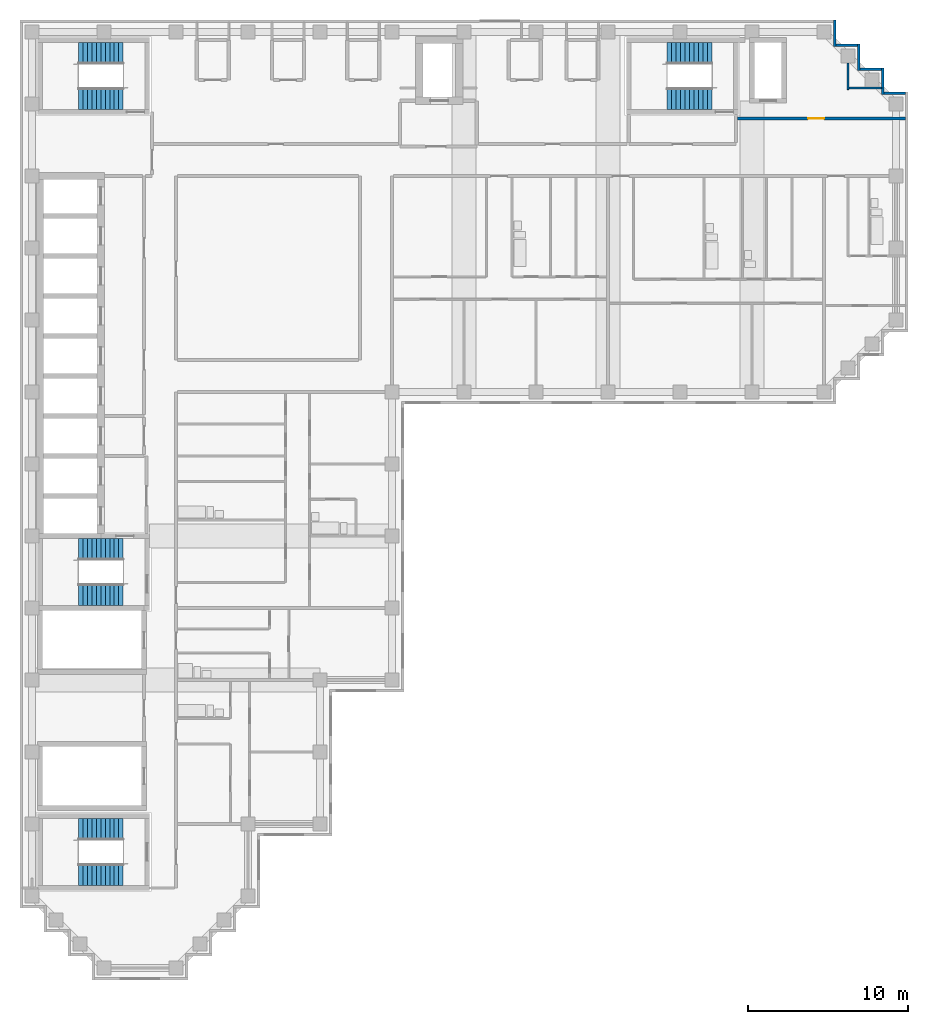
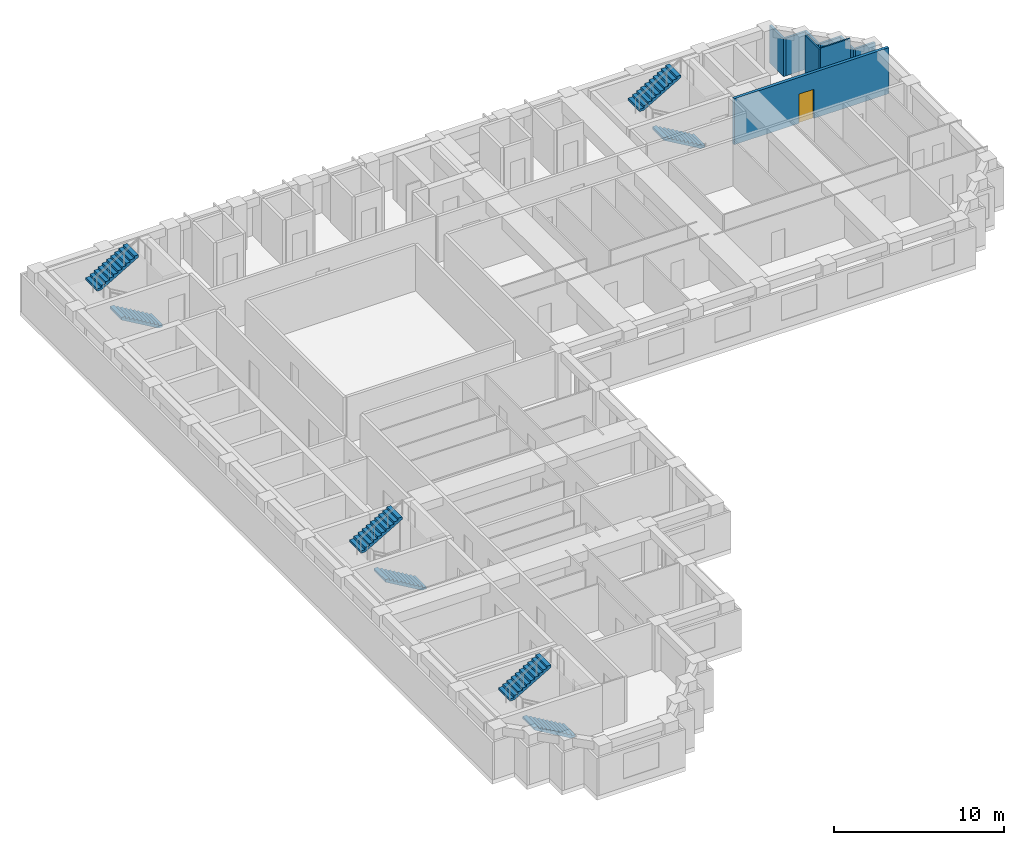
# One storey, part 8 of 10: 9 walls, 8 stair flights, 1 door, 1 opening, 4 elements without a shape of their own.
"""IFC4 building model written with IfcOpenShell, lengths in metres."""

from ifc_helpers import new_model, si_unit, direction, frame, frame_2d, origin, place, context, subcontext, project, spatial, polyline, rectangle, outline, extrude, material, layer, layer_set, type_object, element, fill, aggregate, save


model = new_model("IFC4")

# Units and contexts
model_context = context("Model", 3, precision=1e-05, world=origin(), true_north=direction((0.0, 1.0)))
body_context = subcontext(model_context, "Body", "Model", "MODEL_VIEW")
ifc_project = project(units=[si_unit("LENGTHUNIT", "METRE"), si_unit("AREAUNIT", "SQUARE_METRE"), si_unit("VOLUMEUNIT", "CUBIC_METRE"), si_unit("PLANEANGLEUNIT", "RADIAN"), si_unit("MASSUNIT", "GRAM", prefix="KILO")], contexts=[model_context])

# Site, building, storey
site_placement = place(None, origin())
site = spatial("IfcSite", under=ifc_project, at=site_placement, CompositionType="ELEMENT")
building_placement = place(site_placement, origin())
building = spatial("IfcBuilding", under=site, at=building_placement, Name="Firuza Court", CompositionType="ELEMENT")
storey_placement = place(building_placement, frame((0.0, 0.0, 189.800048828125)))
storey = spatial("IfcBuildingStorey", under=building, at=storey_placement, Name="L48", CompositionType="ELEMENT", Elevation=189.800048828125)

# Wall, opening, door
ifc_material_1 = material(Name="Blockwork, plastered both sides", Category="masonry")
ifc_layer_1 = layer(ifc_material_1, 0.199951171875)
ifc_layer_set_1 = layer_set([ifc_layer_1], Name="Blockwork, plastered both sides")
wall_type_1 = type_object("IfcWallType", Name="Corridor wall 200", PredefinedType="PARTITIONING", material=ifc_layer_set_1)
wall_1_placement = place(storey_placement, frame((44.10009765625, 53.10009765625, 0.0), z_axis=(0.0, 0.0, 1.0), x_axis=(1.0, 0.0, 0.0)))
wall_1 = element("IfcWall", 1, at=wall_1_placement, inside=storey, type_object=wall_type_1, Name="Corridor wall 200 L48", PredefinedType="PARTITIONING", context=body_context, shape_type="SweptSolid", body=[
    extrude(rectangle(XDim=10.5, YDim=0.199951171875, at=frame_2d((5.25, 0.0))), origin(), (0.0, 0.0, 1.0), 3.300048828125),
])
opening_placement = place(wall_1_placement, frame((4.39990234375, 0.0, 0.0)))
opening = element("IfcOpeningElement", 2, at=opening_placement, cuts=wall_1, Name="Opening D48060", PredefinedType="OPENING", context=body_context, shape_type="SweptSolid", body=[
    extrude(rectangle(XDim=1.0, YDim=2.10009765625, at=frame_2d((0.5, 1.050048828125))), frame((0.0, 0.11181640625, 0.0), z_axis=(0.0, -1.0, 0.0), x_axis=(1.0, 0.0, 0.0)), (0.0, 0.0, 1.0), 0.223876953125),
])
ifc_material_2 = material(Name="Timber door leaf in hardwood frame", Category="wood")
door_type = type_object("IfcDoorType", Name="Store door 1000", OperationType="SINGLE_SWING_LEFT", PredefinedType="DOOR", material=ifc_material_2)
door_placement = place(opening_placement, origin())
door = element("IfcDoor", 3, at=door_placement, inside=storey, type_object=door_type, Name="Valet store door", OperationType="SINGLE_SWING_LEFT", OverallHeight=2.10009765625, OverallWidth=1.0, PredefinedType="DOOR", context=body_context, shape_type="SweptSolid", body=[
    extrude(rectangle(XDim=1.0, YDim=2.10009765625, at=frame_2d((0.5, 1.050048828125))), frame((0.0, 0.02490234375, 0.0), z_axis=(0.0, -1.0, 0.0), x_axis=(1.0, 0.0, 0.0)), (0.0, 0.0, 1.0), 0.050048828125),
])
fill(opening, door)

# Walls
ifc_material_3 = material(Name="Timber stud partition, plasterboard both sides", Category="wood")
ifc_layer_2 = layer(ifc_material_3, 0.10009765625)
ifc_layer_set_2 = layer_set([ifc_layer_2], Name="Timber stud partition, plasterboard both sides")
wall_type_2 = type_object("IfcWallType", Name="Partition wall 100", PredefinedType="PARTITIONING", material=ifc_layer_set_2)
wall_2_placement = place(storey_placement, frame((51.0, 54.89990234375, 0.0), z_axis=(0.0, 0.0, 1.0), x_axis=(0.0, 1.0, 0.0)))
element("IfcWall", 4, at=wall_2_placement, inside=storey, type_object=wall_type_2, Name="Partition wall 100 L48", PredefinedType="PARTITIONING", context=body_context, shape_type="SweptSolid", body=[
    extrude(rectangle(XDim=1.650146484375, YDim=0.10009765625, at=frame_2d((0.8251953125, 0.0))), origin(), (0.0, 0.0, 1.0), 3.300048828125),
])
wall_3_placement = place(storey_placement, frame((51.050048828125, 55.0, 0.0), z_axis=(0.0, 0.0, 1.0), x_axis=(1.0, 0.0, 0.0)))
element("IfcWall", 5, at=wall_3_placement, inside=storey, type_object=wall_type_2, Name="Partition wall 100 L48", PredefinedType="PARTITIONING", context=body_context, shape_type="SweptSolid", body=[
    extrude(rectangle(XDim=2.050048828125, YDim=0.10009765625, at=frame_2d((1.02490234375, 0.0))), origin(), (0.0, 0.0, 1.0), 3.300048828125),
])
ifc_material_4 = material(Name="Ceramic tile", Category="ceramic")
ifc_layer_3 = layer(ifc_material_4, 0.02001953125)
ifc_material_5 = material(Name="Mineral wool insulation", Category="insulation")
ifc_layer_4 = layer(ifc_material_5, 0.050048828125)
ifc_material_6 = material(Name="Concrete C40/50 precast", Category="concrete")
ifc_layer_5 = layer(ifc_material_6, 0.080078125)
ifc_layer_set_3 = layer_set([ifc_layer_3, ifc_layer_4, ifc_layer_5], Name="Concrete C40/50 precast")
wall_type_3 = type_object("IfcWallType", Name="Precast cladding wall with turquoise TILE PANEL face 150", PredefinedType="STANDARD", material=ifc_layer_set_3)
wall_4_placement = place(storey_placement, frame((54.60009765625, 54.675048828125, 0.0), z_axis=(0.0, 0.0, 1.0), x_axis=(-1.0, 0.0, 0.0)))
element("IfcWall", 6, at=wall_4_placement, inside=storey, type_object=wall_type_3, Name="Facade wall L48 N", PredefinedType="STANDARD", context=body_context, shape_type="SweptSolid", body=[
    extrude(rectangle(XDim=1.35009765625, YDim=0.14990234375, at=frame_2d((0.675048828125, 0.0))), origin(), (0.0, 0.0, 1.0), 2.699951171875),
])
wall_5_placement = place(storey_placement, frame((53.175048828125, 54.60009765625, 0.0), z_axis=(0.0, 0.0, 1.0), x_axis=(0.0, 1.0, 0.0)))
element("IfcWall", 7, at=wall_5_placement, inside=storey, type_object=wall_type_3, Name="Facade wall L48 E", PredefinedType="STANDARD", context=body_context, shape_type="SweptSolid", body=[
    extrude(rectangle(XDim=1.64990234375, YDim=0.14990234375, at=frame_2d((0.824951171875, 0.0))), origin(), (0.0, 0.0, 1.0), 2.699951171875),
])
wall_6_placement = place(storey_placement, frame((53.10009765625, 56.175048828125, 0.0), z_axis=(0.0, 0.0, 1.0), x_axis=(-1.0, 0.0, 0.0)))
element("IfcWall", 8, at=wall_6_placement, inside=storey, type_object=wall_type_3, Name="Facade wall L48 N", PredefinedType="STANDARD", context=body_context, shape_type="SweptSolid", body=[
    extrude(rectangle(XDim=1.35009765625, YDim=0.14990234375, at=frame_2d((0.675048828125, 0.0))), origin(), (0.0, 0.0, 1.0), 2.699951171875),
])
wall_7_placement = place(storey_placement, frame((51.675048828125, 56.10009765625, 0.0), z_axis=(0.0, 0.0, 1.0), x_axis=(0.0, 1.0, 0.0)))
element("IfcWall", 9, at=wall_7_placement, inside=storey, type_object=wall_type_3, Name="Facade wall L48 E", PredefinedType="STANDARD", context=body_context, shape_type="SweptSolid", body=[
    extrude(rectangle(XDim=1.64990234375, YDim=0.14990234375, at=frame_2d((0.824951171875, 0.0))), origin(), (0.0, 0.0, 1.0), 2.699951171875),
])
wall_8_placement = place(storey_placement, frame((51.60009765625, 57.675048828125, 0.0), z_axis=(0.0, 0.0, 1.0), x_axis=(-1.0, 0.0, 0.0)))
element("IfcWall", 10, at=wall_8_placement, inside=storey, type_object=wall_type_3, Name="Facade wall L48 N", PredefinedType="STANDARD", context=body_context, shape_type="SweptSolid", body=[
    extrude(rectangle(XDim=1.35009765625, YDim=0.14990234375, at=frame_2d((0.675048828125, 0.0))), origin(), (0.0, 0.0, 1.0), 2.699951171875),
])
wall_9_placement = place(storey_placement, frame((50.175048828125, 57.60009765625, 0.0), z_axis=(0.0, 0.0, 1.0), x_axis=(0.0, 1.0, 0.0)))
element("IfcWall", 11, at=wall_9_placement, inside=storey, type_object=wall_type_3, Name="Facade wall L48 E", PredefinedType="STANDARD", context=body_context, shape_type="SweptSolid", body=[
    extrude(rectangle(XDim=1.64990234375, YDim=0.14990234375, at=frame_2d((0.824951171875, 0.0))), origin(), (0.0, 0.0, 1.0), 2.699951171875),
])

# Stair, stair flights
ifc_material_7 = material(Name="Concrete C40/50 precast", Category="concrete")
stair_type = type_object("IfcStairType", Name="Stair 1350 x 3600 2 flights", PredefinedType="HALF_TURN_STAIR", material=ifc_material_7)
stair_1_placement = place(storey_placement, origin())
stair_1 = element("IfcStair", 12, at=stair_1_placement, inside=storey, type_object=stair_type, Name="Stair 1 L48", PredefinedType="HALF_TURN_STAIR")
ifc_material_8 = material(Name="Concrete C40/50 precast", Category="concrete")
stair_flight_type = type_object("IfcStairFlightType", Name="Flight 1350 riser 163.6", PredefinedType="STRAIGHT", material=ifc_material_8)
stair_flight_1_placement = place(storey_placement, frame((42.5, 54.324951171875, 0.0), z_axis=(0.0, 0.0, 1.0), x_axis=(-1.0, 0.0, 0.0)))
stair_flight_1 = element("IfcStairFlight", 13, at=stair_flight_1_placement, type_object=stair_flight_type, Name="S1 flight 1", NumberOfRisers=11, NumberOfTreads=10, PredefinedType="STRAIGHT", RiserHeight=0.163636364, TreadLength=0.28, context=body_context, shape_type="SweptSolid", body=[
    extrude(outline(polyline([(0.0, 0.0), (0.0, 0.16357421875), (0.280029296875, 0.16357421875), (0.280029296875, 0.327392578125), (0.56005859375, 0.327392578125), (0.56005859375, 0.490966796875), (0.840087890625, 0.490966796875), (0.840087890625, 0.654541015625), (1.1201171875, 0.654541015625), (1.1201171875, 0.818115234375), (1.39990234375, 0.818115234375), (1.39990234375, 0.98193359375), (1.679931640625, 0.98193359375), (1.679931640625, 1.1455078125), (1.9599609375, 1.1455078125), (1.9599609375, 1.30908203125), (2.239990234375, 1.30908203125), (2.239990234375, 1.47265625), (2.52001953125, 1.47265625), (2.52001953125, 1.636474609375), (2.800048828125, 1.636474609375), (2.800048828125, 1.800048828125), (2.800048828125, 1.462646484375), (0.297119140625, 0.0), (0.0, 0.0)])), frame((0.0, 0.675048828125, 0.0), z_axis=(0.0, -1.0, 0.0), x_axis=(1.0, 0.0, 0.0)), (0.0, 0.0, 1.0), 1.35009765625),
])
stair_flight_2_placement = place(storey_placement, frame((39.699951171875, 57.175048828125, 1.800048828125), z_axis=(0.0, 0.0, 1.0), x_axis=(1.0, 0.0, 0.0)))
stair_flight_2 = element("IfcStairFlight", 14, at=stair_flight_2_placement, type_object=stair_flight_type, Name="S1 flight 2", NumberOfRisers=11, NumberOfTreads=10, PredefinedType="STRAIGHT", RiserHeight=0.163636364, TreadLength=0.28, context=body_context, shape_type="SweptSolid", body=[
    extrude(outline(polyline([(0.0, 0.0), (0.0, 0.16357421875), (0.280029296875, 0.16357421875), (0.280029296875, 0.327392578125), (0.56005859375, 0.327392578125), (0.56005859375, 0.490966796875), (0.840087890625, 0.490966796875), (0.840087890625, 0.654541015625), (1.1201171875, 0.654541015625), (1.1201171875, 0.818115234375), (1.39990234375, 0.818115234375), (1.39990234375, 0.98193359375), (1.679931640625, 0.98193359375), (1.679931640625, 1.1455078125), (1.9599609375, 1.1455078125), (1.9599609375, 1.30908203125), (2.239990234375, 1.30908203125), (2.239990234375, 1.47265625), (2.52001953125, 1.47265625), (2.52001953125, 1.636474609375), (2.800048828125, 1.636474609375), (2.800048828125, 1.800048828125), (2.800048828125, 1.462646484375), (0.297119140625, 0.0), (0.0, 0.0)])), frame((0.0, 0.675048828125, 0.0), z_axis=(0.0, -1.0, 0.0), x_axis=(1.0, 0.0, 0.0)), (0.0, 0.0, 1.0), 1.35009765625),
])
aggregate(stair_1, [stair_flight_1, stair_flight_2])

stair_2_placement = place(storey_placement, origin())
stair_2 = element("IfcStair", 15, at=stair_2_placement, inside=storey, type_object=stair_type, Name="Stair 2 L48", PredefinedType="HALF_TURN_STAIR")
stair_flight_3_placement = place(storey_placement, frame((5.699951171875, 23.324951171875, 0.0), z_axis=(0.0, 0.0, 1.0), x_axis=(-1.0, 0.0, 0.0)))
stair_flight_3 = element("IfcStairFlight", 16, at=stair_flight_3_placement, type_object=stair_flight_type, Name="S2 flight 1", NumberOfRisers=11, NumberOfTreads=10, PredefinedType="STRAIGHT", RiserHeight=0.163636364, TreadLength=0.28, context=body_context, shape_type="SweptSolid", body=[
    extrude(outline(polyline([(0.0, 0.0), (0.0, 0.16357421875), (0.280029296875, 0.16357421875), (0.280029296875, 0.327392578125), (0.56005859375, 0.327392578125), (0.56005859375, 0.490966796875), (0.840087890625, 0.490966796875), (0.840087890625, 0.654541015625), (1.1201171875, 0.654541015625), (1.1201171875, 0.818115234375), (1.39990234375, 0.818115234375), (1.39990234375, 0.98193359375), (1.679931640625, 0.98193359375), (1.679931640625, 1.1455078125), (1.9599609375, 1.1455078125), (1.9599609375, 1.30908203125), (2.239990234375, 1.30908203125), (2.239990234375, 1.47265625), (2.52001953125, 1.47265625), (2.52001953125, 1.636474609375), (2.800048828125, 1.636474609375), (2.800048828125, 1.800048828125), (2.800048828125, 1.462646484375), (0.297119140625, 0.0), (0.0, 0.0)])), frame((0.0, 0.675048828125, 0.0), z_axis=(0.0, -1.0, 0.0), x_axis=(1.0, 0.0, 0.0)), (0.0, 0.0, 1.0), 1.35009765625),
])
stair_flight_4_placement = place(storey_placement, frame((2.89990234375, 26.175048828125, 1.800048828125), z_axis=(0.0, 0.0, 1.0), x_axis=(1.0, 0.0, 0.0)))
stair_flight_4 = element("IfcStairFlight", 17, at=stair_flight_4_placement, type_object=stair_flight_type, Name="S2 flight 2", NumberOfRisers=11, NumberOfTreads=10, PredefinedType="STRAIGHT", RiserHeight=0.163636364, TreadLength=0.28, context=body_context, shape_type="SweptSolid", body=[
    extrude(outline(polyline([(0.0, 0.0), (0.0, 0.16357421875), (0.280029296875, 0.16357421875), (0.280029296875, 0.327392578125), (0.56005859375, 0.327392578125), (0.56005859375, 0.490966796875), (0.840087890625, 0.490966796875), (0.840087890625, 0.654541015625), (1.1201171875, 0.654541015625), (1.1201171875, 0.818115234375), (1.39990234375, 0.818115234375), (1.39990234375, 0.98193359375), (1.679931640625, 0.98193359375), (1.679931640625, 1.1455078125), (1.9599609375, 1.1455078125), (1.9599609375, 1.30908203125), (2.239990234375, 1.30908203125), (2.239990234375, 1.47265625), (2.52001953125, 1.47265625), (2.52001953125, 1.636474609375), (2.800048828125, 1.636474609375), (2.800048828125, 1.800048828125), (2.800048828125, 1.462646484375), (0.297119140625, 0.0), (0.0, 0.0)])), frame((0.0, 0.675048828125, 0.0), z_axis=(0.0, -1.0, 0.0), x_axis=(1.0, 0.0, 0.0)), (0.0, 0.0, 1.0), 1.35009765625),
])
aggregate(stair_2, [stair_flight_3, stair_flight_4])

stair_3_placement = place(storey_placement, origin())
stair_3 = element("IfcStair", 18, at=stair_3_placement, inside=storey, type_object=stair_type, Name="Stair 3 L48", PredefinedType="HALF_TURN_STAIR")
stair_flight_5_placement = place(storey_placement, frame((5.699951171875, 54.324951171875, 0.0), z_axis=(0.0, 0.0, 1.0), x_axis=(-1.0, 0.0, 0.0)))
stair_flight_5 = element("IfcStairFlight", 19, at=stair_flight_5_placement, type_object=stair_flight_type, Name="S3 flight 1", NumberOfRisers=11, NumberOfTreads=10, PredefinedType="STRAIGHT", RiserHeight=0.163636364, TreadLength=0.28, context=body_context, shape_type="SweptSolid", body=[
    extrude(outline(polyline([(0.0, 0.0), (0.0, 0.16357421875), (0.280029296875, 0.16357421875), (0.280029296875, 0.327392578125), (0.56005859375, 0.327392578125), (0.56005859375, 0.490966796875), (0.840087890625, 0.490966796875), (0.840087890625, 0.654541015625), (1.1201171875, 0.654541015625), (1.1201171875, 0.818115234375), (1.39990234375, 0.818115234375), (1.39990234375, 0.98193359375), (1.679931640625, 0.98193359375), (1.679931640625, 1.1455078125), (1.9599609375, 1.1455078125), (1.9599609375, 1.30908203125), (2.239990234375, 1.30908203125), (2.239990234375, 1.47265625), (2.52001953125, 1.47265625), (2.52001953125, 1.636474609375), (2.800048828125, 1.636474609375), (2.800048828125, 1.800048828125), (2.800048828125, 1.462646484375), (0.297119140625, 0.0), (0.0, 0.0)])), frame((0.0, 0.675048828125, 0.0), z_axis=(0.0, -1.0, 0.0), x_axis=(1.0, 0.0, 0.0)), (0.0, 0.0, 1.0), 1.35009765625),
])
stair_flight_6_placement = place(storey_placement, frame((2.89990234375, 57.175048828125, 1.800048828125), z_axis=(0.0, 0.0, 1.0), x_axis=(1.0, 0.0, 0.0)))
stair_flight_6 = element("IfcStairFlight", 20, at=stair_flight_6_placement, type_object=stair_flight_type, Name="S3 flight 2", NumberOfRisers=11, NumberOfTreads=10, PredefinedType="STRAIGHT", RiserHeight=0.163636364, TreadLength=0.28, context=body_context, shape_type="SweptSolid", body=[
    extrude(outline(polyline([(0.0, 0.0), (0.0, 0.16357421875), (0.280029296875, 0.16357421875), (0.280029296875, 0.327392578125), (0.56005859375, 0.327392578125), (0.56005859375, 0.490966796875), (0.840087890625, 0.490966796875), (0.840087890625, 0.654541015625), (1.1201171875, 0.654541015625), (1.1201171875, 0.818115234375), (1.39990234375, 0.818115234375), (1.39990234375, 0.98193359375), (1.679931640625, 0.98193359375), (1.679931640625, 1.1455078125), (1.9599609375, 1.1455078125), (1.9599609375, 1.30908203125), (2.239990234375, 1.30908203125), (2.239990234375, 1.47265625), (2.52001953125, 1.47265625), (2.52001953125, 1.636474609375), (2.800048828125, 1.636474609375), (2.800048828125, 1.800048828125), (2.800048828125, 1.462646484375), (0.297119140625, 0.0), (0.0, 0.0)])), frame((0.0, 0.675048828125, 0.0), z_axis=(0.0, -1.0, 0.0), x_axis=(1.0, 0.0, 0.0)), (0.0, 0.0, 1.0), 1.35009765625),
])
aggregate(stair_3, [stair_flight_5, stair_flight_6])

stair_4_placement = place(storey_placement, origin())
stair_4 = element("IfcStair", 21, at=stair_4_placement, inside=storey, type_object=stair_type, Name="Stair 5 L48", PredefinedType="HALF_TURN_STAIR")
stair_flight_7_placement = place(storey_placement, frame((5.699951171875, 5.824951171875, 0.0), z_axis=(0.0, 0.0, 1.0), x_axis=(-1.0, 0.0, 0.0)))
stair_flight_7 = element("IfcStairFlight", 22, at=stair_flight_7_placement, type_object=stair_flight_type, Name="S5 flight 1", NumberOfRisers=11, NumberOfTreads=10, PredefinedType="STRAIGHT", RiserHeight=0.163636364, TreadLength=0.28, context=body_context, shape_type="SweptSolid", body=[
    extrude(outline(polyline([(0.0, 0.0), (0.0, 0.16357421875), (0.280029296875, 0.16357421875), (0.280029296875, 0.327392578125), (0.56005859375, 0.327392578125), (0.56005859375, 0.490966796875), (0.840087890625, 0.490966796875), (0.840087890625, 0.654541015625), (1.1201171875, 0.654541015625), (1.1201171875, 0.818115234375), (1.39990234375, 0.818115234375), (1.39990234375, 0.98193359375), (1.679931640625, 0.98193359375), (1.679931640625, 1.1455078125), (1.9599609375, 1.1455078125), (1.9599609375, 1.30908203125), (2.239990234375, 1.30908203125), (2.239990234375, 1.47265625), (2.52001953125, 1.47265625), (2.52001953125, 1.636474609375), (2.800048828125, 1.636474609375), (2.800048828125, 1.800048828125), (2.800048828125, 1.462646484375), (0.297119140625, 0.0), (0.0, 0.0)])), frame((0.0, 0.675048828125, 0.0), z_axis=(0.0, -1.0, 0.0), x_axis=(1.0, 0.0, 0.0)), (0.0, 0.0, 1.0), 1.35009765625),
])
stair_flight_8_placement = place(storey_placement, frame((2.89990234375, 8.675048828125, 1.800048828125), z_axis=(0.0, 0.0, 1.0), x_axis=(1.0, 0.0, 0.0)))
stair_flight_8 = element("IfcStairFlight", 23, at=stair_flight_8_placement, type_object=stair_flight_type, Name="S5 flight 2", NumberOfRisers=11, NumberOfTreads=10, PredefinedType="STRAIGHT", RiserHeight=0.163636364, TreadLength=0.28, context=body_context, shape_type="SweptSolid", body=[
    extrude(outline(polyline([(0.0, 0.0), (0.0, 0.16357421875), (0.280029296875, 0.16357421875), (0.280029296875, 0.327392578125), (0.56005859375, 0.327392578125), (0.56005859375, 0.490966796875), (0.840087890625, 0.490966796875), (0.840087890625, 0.654541015625), (1.1201171875, 0.654541015625), (1.1201171875, 0.818115234375), (1.39990234375, 0.818115234375), (1.39990234375, 0.98193359375), (1.679931640625, 0.98193359375), (1.679931640625, 1.1455078125), (1.9599609375, 1.1455078125), (1.9599609375, 1.30908203125), (2.239990234375, 1.30908203125), (2.239990234375, 1.47265625), (2.52001953125, 1.47265625), (2.52001953125, 1.636474609375), (2.800048828125, 1.636474609375), (2.800048828125, 1.800048828125), (2.800048828125, 1.462646484375), (0.297119140625, 0.0), (0.0, 0.0)])), frame((0.0, 0.675048828125, 0.0), z_axis=(0.0, -1.0, 0.0), x_axis=(1.0, 0.0, 0.0)), (0.0, 0.0, 1.0), 1.35009765625),
])
aggregate(stair_4, [stair_flight_7, stair_flight_8])

save(model, "model.ifc")
